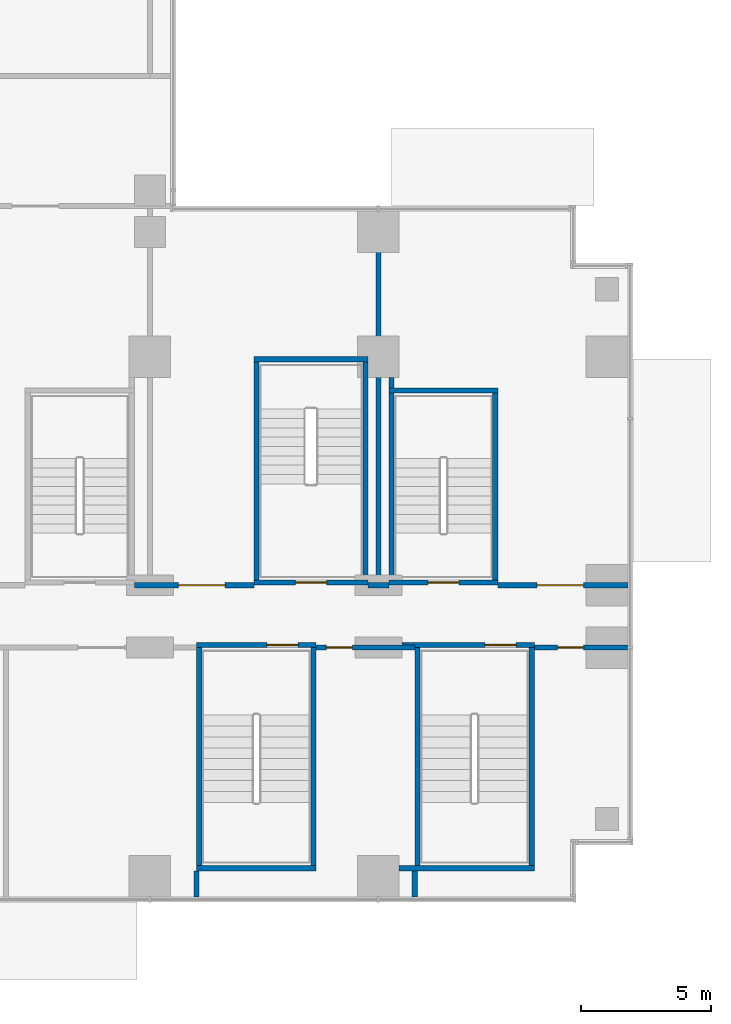
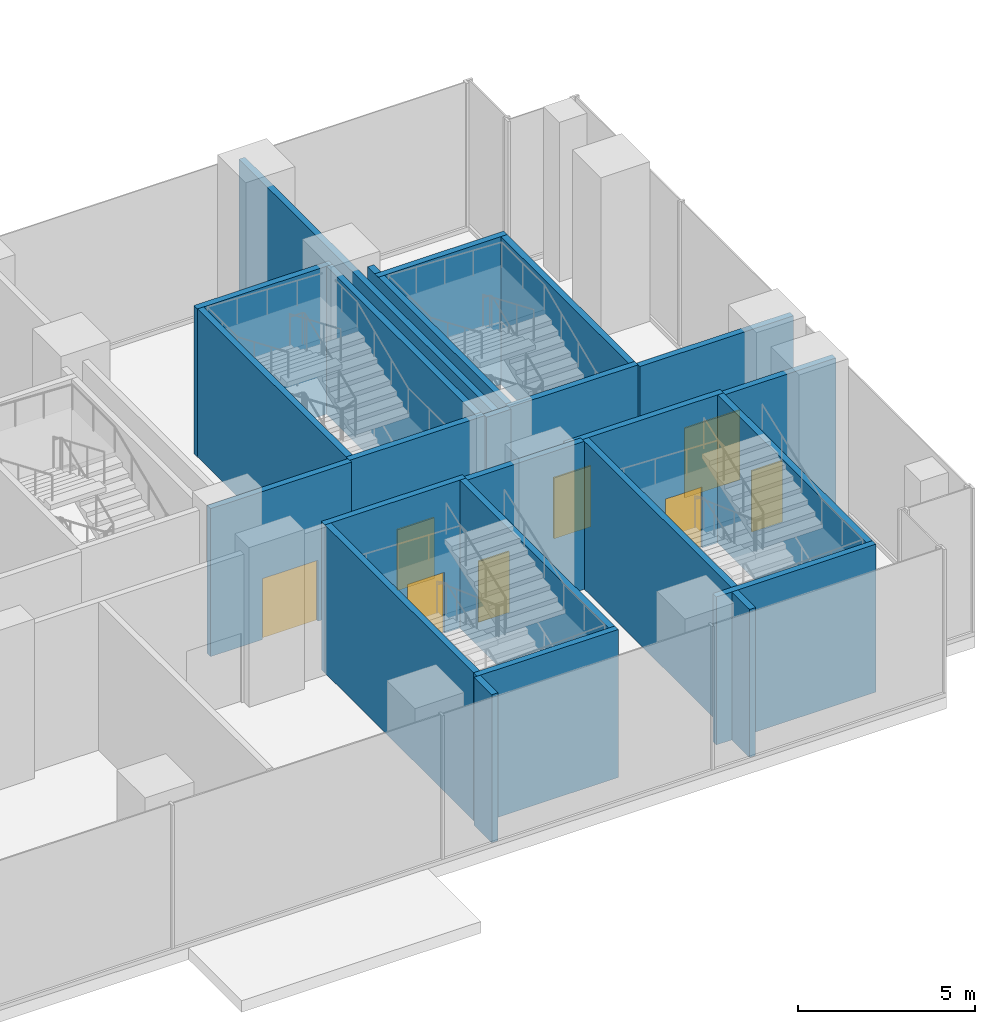
# One storey, part 21 of 30: 24 walls, 8 doors, 8 openings.
"""IFC4 building model written with IfcOpenShell, lengths in metres."""

from ifc_helpers import new_model, si_unit, direction, frame, frame_2d, origin, place, context, subcontext, project, spatial, rectangle, extrude, material, layer, layer_set, type_object, element, fill, save


model = new_model("IFC4")

# Units and contexts
model_context = context("Model", 3, precision=1e-05, world=origin(), true_north=direction((0.0, 1.0)))
body_context = subcontext(model_context, "Body", "Model", "MODEL_VIEW")
ifc_project = project(units=[si_unit("LENGTHUNIT", "METRE"), si_unit("AREAUNIT", "SQUARE_METRE"), si_unit("VOLUMEUNIT", "CUBIC_METRE"), si_unit("PLANEANGLEUNIT", "RADIAN"), si_unit("MASSUNIT", "GRAM", prefix="KILO")], contexts=[model_context])

# Site, building, storey
site_placement = place(None, origin())
site = spatial("IfcSite", under=ifc_project, at=site_placement, CompositionType="ELEMENT")
building_placement = place(site_placement, origin())
building = spatial("IfcBuilding", under=site, at=building_placement, Name="Kemantara Hotel Tower", CompositionType="ELEMENT")
storey_placement = place(building_placement, frame((0.0, 0.0, 7.5)))
storey = spatial("IfcBuildingStorey", under=building, at=storey_placement, Name="L01", CompositionType="ELEMENT", Elevation=7.5)

# Wall, opening, door
ifc_material_1 = material(Name="Concrete fc 40 MPa", Category="concrete")
ifc_layer_1 = layer(ifc_material_1, 0.199951171875)
ifc_layer_set_1 = layer_set([ifc_layer_1], Name="Concrete fc 40 MPa")
wall_type_1 = type_object("IfcWallType", Name="Concrete stair wall 200 mm", PredefinedType="SHEAR", material=ifc_layer_set_1)
wall_1_placement = place(storey_placement, frame((71.800048828125, 12.300048828125, 0.0), z_axis=(0.0, 0.0, 1.0), x_axis=(1.0, 0.0, 0.0)))
wall_1 = element("IfcWall", 1, at=wall_1_placement, inside=storey, type_object=wall_type_1, Name="Stair ST5 enclosure wall with door", PredefinedType="SHEAR", context=body_context, shape_type="SweptSolid", body=[
    extrude(rectangle(XDim=4.199951171875, YDim=0.199951171875, at=frame_2d((2.10009765625, 0.0))), origin(), (0.0, 0.0, 1.0), 5.10009765625),
])
opening_1_placement = place(wall_1_placement, frame((1.5, 0.0, 0.0)))
opening_1 = element("IfcOpeningElement", 2, at=opening_1_placement, cuts=wall_1, Name="Opening ST5-C", PredefinedType="OPENING", context=body_context, shape_type="SweptSolid", body=[
    extrude(rectangle(XDim=1.199951171875, YDim=2.10009765625, at=frame_2d((0.60009765625, 1.050048828125))), frame((0.0, 0.10986328125, 0.0), z_axis=(0.0, -1.0, 0.0), x_axis=(1.0, 0.0, 0.0)), (0.0, 0.0, 1.0), 0.219970703125),
])
ifc_material_2 = material(Name="Steel fire door", Category="steel")
door_type_1 = type_object("IfcDoorType", Name="Fire door FD90 1200 x 2100", OperationType="NOTDEFINED", PredefinedType="DOOR", material=ifc_material_2)
door_1_placement = place(opening_1_placement, origin())
door_1 = element("IfcDoor", 3, at=door_1_placement, inside=storey, type_object=door_type_1, Name="Stair ST5 door", OperationType="SINGLE_SWING_RIGHT", OverallHeight=2.10009765625, OverallWidth=1.199951171875, PredefinedType="DOOR", context=body_context, shape_type="SweptSolid", body=[
    extrude(rectangle(XDim=1.199951171875, YDim=2.10009765625, at=frame_2d((0.60009765625, 1.050048828125))), frame((0.0, 0.02490234375, 0.0), z_axis=(0.0, -1.0, 0.0), x_axis=(1.0, 0.0, 0.0)), (0.0, 0.0, 1.0), 0.050048828125),
])
fill(opening_1, door_1)

# Walls
wall_2_placement = place(storey_placement, frame((71.800048828125, 19.699951171875, 0.0), z_axis=(0.0, 0.0, 1.0), x_axis=(1.0, 0.0, 0.0)))
element("IfcWall", 4, at=wall_2_placement, inside=storey, type_object=wall_type_1, Name="Stair ST5 enclosure wall N", PredefinedType="SHEAR", context=body_context, shape_type="SweptSolid", body=[
    extrude(rectangle(XDim=4.199951171875, YDim=0.199951171875, at=frame_2d((2.10009765625, 0.0))), origin(), (0.0, 0.0, 1.0), 5.10009765625),
])
wall_3_placement = place(storey_placement, frame((71.89990234375, 12.39990234375, 0.0), z_axis=(0.0, 0.0, 1.0), x_axis=(0.0, 1.0, 0.0)))
element("IfcWall", 5, at=wall_3_placement, inside=storey, type_object=wall_type_1, Name="Stair ST5 enclosure wall W", PredefinedType="SHEAR", context=body_context, shape_type="SweptSolid", body=[
    extrude(rectangle(XDim=7.800048828125, YDim=0.199951171875, at=frame_2d((3.89990234375, 0.0))), origin(), (0.0, 0.0, 1.0), 5.10009765625),
])
wall_4_placement = place(storey_placement, frame((75.89990234375, 12.39990234375, 0.0), z_axis=(0.0, 0.0, 1.0), x_axis=(0.0, 1.0, 0.0)))
element("IfcWall", 6, at=wall_4_placement, inside=storey, type_object=wall_type_1, Name="Stair ST5 enclosure wall E", PredefinedType="SHEAR", context=body_context, shape_type="SweptSolid", body=[
    extrude(rectangle(XDim=7.2001953125, YDim=0.199951171875, at=frame_2d((3.60009765625, 0.0))), origin(), (0.0, 0.0, 1.0), 5.10009765625),
])

# Wall, opening, door
wall_5_placement = place(storey_placement, frame((66.60009765625, 12.300048828125, 0.0), z_axis=(0.0, 0.0, 1.0), x_axis=(1.0, 0.0, 0.0)))
wall_5 = element("IfcWall", 7, at=wall_5_placement, inside=storey, type_object=wall_type_1, Name="Stair PS1 enclosure wall with door", PredefinedType="SHEAR", context=body_context, shape_type="SweptSolid", body=[
    extrude(rectangle(XDim=4.39990234375, YDim=0.199951171875, at=frame_2d((2.199951171875, 0.0))), origin(), (0.0, 0.0, 1.0), 5.10009765625),
])
opening_2_placement = place(wall_5_placement, frame((1.60009765625, 0.0, 0.0)))
opening_2 = element("IfcOpeningElement", 8, at=opening_2_placement, cuts=wall_5, Name="Opening PS1-C", PredefinedType="OPENING", context=body_context, shape_type="SweptSolid", body=[
    extrude(rectangle(XDim=1.199951171875, YDim=2.10009765625, at=frame_2d((0.60009765625, 1.050048828125))), frame((0.0, 0.10986328125, 0.0), z_axis=(0.0, -1.0, 0.0), x_axis=(1.0, 0.0, 0.0)), (0.0, 0.0, 1.0), 0.219970703125),
])
door_2_placement = place(opening_2_placement, origin())
door_2 = element("IfcDoor", 9, at=door_2_placement, inside=storey, type_object=door_type_1, Name="Stair PS1 door", OperationType="SINGLE_SWING_RIGHT", OverallHeight=2.10009765625, OverallWidth=1.199951171875, PredefinedType="DOOR", context=body_context, shape_type="SweptSolid", body=[
    extrude(rectangle(XDim=1.199951171875, YDim=2.10009765625, at=frame_2d((0.60009765625, 1.050048828125))), frame((0.0, 0.02490234375, 0.0), z_axis=(0.0, -1.0, 0.0), x_axis=(1.0, 0.0, 0.0)), (0.0, 0.0, 1.0), 0.050048828125),
])
fill(opening_2, door_2)

# Walls
wall_6_placement = place(storey_placement, frame((66.60009765625, 20.89990234375, 0.0), z_axis=(0.0, 0.0, 1.0), x_axis=(1.0, 0.0, 0.0)))
element("IfcWall", 10, at=wall_6_placement, inside=storey, type_object=wall_type_1, Name="Stair PS1 enclosure wall N", PredefinedType="SHEAR", context=body_context, shape_type="SweptSolid", body=[
    extrude(rectangle(XDim=4.39990234375, YDim=0.199951171875, at=frame_2d((2.199951171875, 0.0))), origin(), (0.0, 0.0, 1.0), 5.10009765625),
])
for number, where, z_axis, x_axis, name in (
    (11, (66.699951171875, 12.39990234375, 0.0), (0.0, 0.0, 1.0), (0.0, 1.0, 0.0), "Stair PS1 enclosure wall W"),
    (12, (70.89990234375, 12.39990234375, 0.0), (0.0, 0.0, 1.0), (0.0, 1.0, 0.0), "Stair PS1 enclosure wall E"),
):
    element("IfcWall", number, at=place(storey_placement, frame(where, z_axis=z_axis, x_axis=x_axis)), inside=storey, type_object=wall_type_1, Name=name, PredefinedType="SHEAR", context=body_context, shape_type="SweptSolid", body=[
        extrude(rectangle(XDim=8.400146484375, YDim=0.199951171875, at=frame_2d((4.2001953125, 0.0))), origin(), (0.0, 0.0, 1.0), 5.10009765625),
    ])

# Wall, opening, door
wall_7_placement = place(storey_placement, frame((64.39990234375, 9.89990234375, 0.0), z_axis=(0.0, 0.0, 1.0), x_axis=(1.0, 0.0, 0.0)))
wall_7 = element("IfcWall", 13, at=wall_7_placement, inside=storey, type_object=wall_type_1, Name="Stair PS4 enclosure wall with door", PredefinedType="SHEAR", context=body_context, shape_type="SweptSolid", body=[
    extrude(rectangle(XDim=4.60009765625, YDim=0.199951171875, at=frame_2d((2.300048828125, 0.0))), origin(), (0.0, 0.0, 1.0), 5.10009765625),
])
opening_3_placement = place(wall_7_placement, frame((2.699951171875, 0.0, 0.0)))
opening_3 = element("IfcOpeningElement", 14, at=opening_3_placement, cuts=wall_7, Name="Opening PS4-C", PredefinedType="OPENING", context=body_context, shape_type="SweptSolid", body=[
    extrude(rectangle(XDim=1.199951171875, YDim=2.10009765625, at=frame_2d((0.60009765625, 1.050048828125))), frame((0.0, 0.10986328125, 0.0), z_axis=(0.0, -1.0, 0.0), x_axis=(1.0, 0.0, 0.0)), (0.0, 0.0, 1.0), 0.219970703125),
])
door_3_placement = place(opening_3_placement, frame((1.199951171875, 0.0, 0.0), z_axis=(0.0, 0.0, 1.0), x_axis=(-1.0, 0.0, 0.0)))
door_3 = element("IfcDoor", 15, at=door_3_placement, inside=storey, type_object=door_type_1, Name="Stair PS4 door", OperationType="SINGLE_SWING_LEFT", OverallHeight=2.10009765625, OverallWidth=1.199951171875, PredefinedType="DOOR", context=body_context, shape_type="SweptSolid", body=[
    extrude(rectangle(XDim=1.199951171875, YDim=2.10009765625, at=frame_2d((0.60009765625, 1.050048828125))), frame((0.0, 0.02490234375, 0.0), z_axis=(0.0, -1.0, 0.0), x_axis=(1.0, 0.0, 0.0)), (0.0, 0.0, 1.0), 0.050048828125),
])
fill(opening_3, door_3)

# Walls
wall_8_placement = place(storey_placement, frame((64.39990234375, 1.300048828125, 0.0), z_axis=(0.0, 0.0, 1.0), x_axis=(1.0, 0.0, 0.0)))
element("IfcWall", 16, at=wall_8_placement, inside=storey, type_object=wall_type_1, Name="Stair PS4 enclosure wall S", PredefinedType="SHEAR", context=body_context, shape_type="SweptSolid", body=[
    extrude(rectangle(XDim=4.60009765625, YDim=0.199951171875, at=frame_2d((2.300048828125, 0.0))), origin(), (0.0, 0.0, 1.0), 5.10009765625),
])
for number, where, z_axis, x_axis, name in (
    (17, (64.5, 1.39990234375, 0.0), (0.0, 0.0, 1.0), (0.0, 1.0, 0.0), "Stair PS4 enclosure wall W"),
    (18, (68.89990234375, 1.39990234375, 0.0), (0.0, 0.0, 1.0), (0.0, 1.0, 0.0), "Stair PS4 enclosure wall E"),
):
    element("IfcWall", number, at=place(storey_placement, frame(where, z_axis=z_axis, x_axis=x_axis)), inside=storey, type_object=wall_type_1, Name=name, PredefinedType="SHEAR", context=body_context, shape_type="SweptSolid", body=[
        extrude(rectangle(XDim=8.400146484375, YDim=0.199951171875, at=frame_2d((4.2001953125, 0.0))), origin(), (0.0, 0.0, 1.0), 5.10009765625),
    ])

# Wall, opening, door
wall_9_placement = place(storey_placement, frame((72.300048828125, 9.89990234375, 0.0), z_axis=(0.0, 0.0, 1.0), x_axis=(1.0, 0.0, 0.0)))
wall_9 = element("IfcWall", 19, at=wall_9_placement, inside=storey, type_object=wall_type_1, Name="Stair PS5 enclosure wall with door", PredefinedType="SHEAR", context=body_context, shape_type="SweptSolid", body=[
    extrude(rectangle(XDim=5.099853515625, YDim=0.199951171875, at=frame_2d((2.5498046875, 0.0))), origin(), (0.0, 0.0, 1.0), 5.10009765625),
])
opening_4_placement = place(wall_9_placement, frame((3.199951171875, 0.0, 0.0)))
opening_4 = element("IfcOpeningElement", 20, at=opening_4_placement, cuts=wall_9, Name="Opening PS5-C", PredefinedType="OPENING", context=body_context, shape_type="SweptSolid", body=[
    extrude(rectangle(XDim=1.199951171875, YDim=2.10009765625, at=frame_2d((0.60009765625, 1.050048828125))), frame((0.0, 0.10986328125, 0.0), z_axis=(0.0, -1.0, 0.0), x_axis=(1.0, 0.0, 0.0)), (0.0, 0.0, 1.0), 0.219970703125),
])
door_4_placement = place(opening_4_placement, frame((1.199951171875, 0.0, 0.0), z_axis=(0.0, 0.0, 1.0), x_axis=(-1.0, 0.0, 0.0)))
door_4 = element("IfcDoor", 21, at=door_4_placement, inside=storey, type_object=door_type_1, Name="Stair PS5 door", OperationType="SINGLE_SWING_LEFT", OverallHeight=2.10009765625, OverallWidth=1.199951171875, PredefinedType="DOOR", context=body_context, shape_type="SweptSolid", body=[
    extrude(rectangle(XDim=1.199951171875, YDim=2.10009765625, at=frame_2d((0.60009765625, 1.050048828125))), frame((0.0, 0.02490234375, 0.0), z_axis=(0.0, -1.0, 0.0), x_axis=(1.0, 0.0, 0.0)), (0.0, 0.0, 1.0), 0.050048828125),
])
fill(opening_4, door_4)

# Walls
wall_10_placement = place(storey_placement, frame((72.199951171875, 1.300048828125, 0.0), z_axis=(0.0, 0.0, 1.0), x_axis=(1.0, 0.0, 0.0)))
element("IfcWall", 22, at=wall_10_placement, inside=storey, type_object=wall_type_1, Name="Stair PS5 enclosure wall S", PredefinedType="SHEAR", context=body_context, shape_type="SweptSolid", body=[
    extrude(rectangle(XDim=5.199951171875, YDim=0.199951171875, at=frame_2d((2.60009765625, 0.0))), origin(), (0.0, 0.0, 1.0), 5.10009765625),
])
for number, where, z_axis, x_axis, name in (
    (23, (72.89990234375, 1.39990234375, 0.0), (0.0, 0.0, 1.0), (0.0, 1.0, 0.0), "Stair PS5 enclosure wall W"),
    (24, (77.300048828125, 1.39990234375, 0.0), (0.0, 0.0, 1.0), (0.0, 1.0, 0.0), "Stair PS5 enclosure wall E"),
):
    element("IfcWall", number, at=place(storey_placement, frame(where, z_axis=z_axis, x_axis=x_axis)), inside=storey, type_object=wall_type_1, Name=name, PredefinedType="SHEAR", context=body_context, shape_type="SweptSolid", body=[
        extrude(rectangle(XDim=8.400146484375, YDim=0.199951171875, at=frame_2d((4.2001953125, 0.0))), origin(), (0.0, 0.0, 1.0), 5.10009765625),
    ])

# Wall, opening, door
ifc_material_3 = material(Name="Fire-rated gypsum board partition")
ifc_layer_2 = layer(ifc_material_3, 0.199951171875)
ifc_layer_set_2 = layer_set([ifc_layer_2], Name="Fire-rated gypsum board partition")
wall_type_2 = type_object("IfcWallType", Name="FIRE-RATED GYPSUM PARTITION 200 EI 60", PredefinedType="PARTITIONING", material=ifc_layer_set_2)
wall_11_placement = place(storey_placement, frame((69.0, 9.800048828125, 0.0), z_axis=(0.0, 0.0, 1.0), x_axis=(1.0, 0.0, 0.0)))
wall_11 = element("IfcWall", 25, at=wall_11_placement, inside=storey, type_object=wall_type_2, Name="FIRE-RATED PARTITION", PredefinedType="PARTITIONING", context=body_context, shape_type="SweptSolid", body=[
    extrude(rectangle(XDim=3.800048828125, YDim=0.199951171875, at=frame_2d((1.89990234375, 0.0))), origin(), (0.0, 0.0, 1.0), 5.10009765625),
])
opening_5_placement = place(wall_11_placement, frame((0.39990234375, 0.0, 0.0)))
opening_5 = element("IfcOpeningElement", 26, at=opening_5_placement, cuts=wall_11, Name="Opening L01-B006", PredefinedType="OPENING", context=body_context, shape_type="SweptSolid", body=[
    extrude(rectangle(XDim=1.0, YDim=2.10009765625, at=frame_2d((0.5, 1.050048828125))), frame((0.0, 0.10986328125, 0.0), z_axis=(0.0, -1.0, 0.0), x_axis=(1.0, 0.0, 0.0)), (0.0, 0.0, 1.0), 0.219970703125),
])
ifc_material_4 = material(Name="Timber veneer door leaf", Category="wood")
door_type_2 = type_object("IfcDoorType", Name="SINGLE LEAF TIMBER DOOR 1000 X 2100", OperationType="SINGLE_SWING_LEFT", PredefinedType="DOOR", material=ifc_material_4)
door_5_placement = place(opening_5_placement, frame((1.0, 0.0, 0.0), z_axis=(0.0, 0.0, 1.0), x_axis=(-1.0, 0.0, 0.0)))
door_5 = element("IfcDoor", 27, at=door_5_placement, inside=storey, type_object=door_type_2, Name="SINGLE LEAF TIMBER DOOR", OperationType="SINGLE_SWING_RIGHT", OverallHeight=2.10009765625, OverallWidth=1.0, PredefinedType="DOOR", context=body_context, shape_type="SweptSolid", body=[
    extrude(rectangle(XDim=1.0, YDim=2.10009765625, at=frame_2d((0.5, 1.050048828125))), frame((0.0, 0.02490234375, 0.0), z_axis=(0.0, -1.0, 0.0), x_axis=(1.0, 0.0, 0.0)), (0.0, 0.0, 1.0), 0.050048828125),
])
fill(opening_5, door_5)

wall_12_placement = place(storey_placement, frame((77.39990234375, 9.800048828125, 0.0), z_axis=(0.0, 0.0, 1.0), x_axis=(1.0, 0.0, 0.0)))
wall_12 = element("IfcWall", 28, at=wall_12_placement, inside=storey, type_object=wall_type_2, Name="FIRE-RATED PARTITION", PredefinedType="PARTITIONING", context=body_context, shape_type="SweptSolid", body=[
    extrude(rectangle(XDim=3.60009765625, YDim=0.199951171875, at=frame_2d((1.800048828125, 0.0))), origin(), (0.0, 0.0, 1.0), 5.10009765625),
])
opening_6_placement = place(wall_12_placement, frame((0.89990234375, 0.0, 0.0)))
opening_6 = element("IfcOpeningElement", 29, at=opening_6_placement, cuts=wall_12, Name="Opening L01-B007", PredefinedType="OPENING", context=body_context, shape_type="SweptSolid", body=[
    extrude(rectangle(XDim=1.0, YDim=2.10009765625, at=frame_2d((0.5, 1.050048828125))), frame((0.0, 0.10986328125, 0.0), z_axis=(0.0, -1.0, 0.0), x_axis=(1.0, 0.0, 0.0)), (0.0, 0.0, 1.0), 0.219970703125),
])
door_6_placement = place(opening_6_placement, frame((1.0, 0.0, 0.0), z_axis=(0.0, 0.0, 1.0), x_axis=(-1.0, 0.0, 0.0)))
door_6 = element("IfcDoor", 30, at=door_6_placement, inside=storey, type_object=door_type_2, Name="SINGLE LEAF TIMBER DOOR", OperationType="SINGLE_SWING_RIGHT", OverallHeight=2.10009765625, OverallWidth=1.0, PredefinedType="DOOR", context=body_context, shape_type="SweptSolid", body=[
    extrude(rectangle(XDim=1.0, YDim=2.10009765625, at=frame_2d((0.5, 1.050048828125))), frame((0.0, 0.02490234375, 0.0), z_axis=(0.0, -1.0, 0.0), x_axis=(1.0, 0.0, 0.0)), (0.0, 0.0, 1.0), 0.050048828125),
])
fill(opening_6, door_6)

wall_13_placement = place(storey_placement, frame((62.0, 12.199951171875, 0.0), z_axis=(0.0, 0.0, 1.0), x_axis=(1.0, 0.0, 0.0)))
wall_13 = element("IfcWall", 31, at=wall_13_placement, inside=storey, type_object=wall_type_2, Name="FIRE-RATED PARTITION", PredefinedType="PARTITIONING", context=body_context, shape_type="SweptSolid", body=[
    extrude(rectangle(XDim=4.60009765625, YDim=0.199951171875, at=frame_2d((2.300048828125, 0.0))), origin(), (0.0, 0.0, 1.0), 5.10009765625),
])
opening_7_placement = place(wall_13_placement, frame((1.699951171875, 0.0, 0.0)))
opening_7 = element("IfcOpeningElement", 32, at=opening_7_placement, cuts=wall_13, Name="Opening L01-B029", PredefinedType="OPENING", context=body_context, shape_type="SweptSolid", body=[
    extrude(rectangle(XDim=1.800048828125, YDim=2.10009765625, at=frame_2d((0.89990234375, 1.050048828125))), frame((0.0, 0.10986328125, 0.0), z_axis=(0.0, -1.0, 0.0), x_axis=(1.0, 0.0, 0.0)), (0.0, 0.0, 1.0), 0.219970703125),
])
door_type_3 = type_object("IfcDoorType", Name="DOUBLE LEAF TIMBER DOOR 1800 X 2100", OperationType="DOUBLE_DOOR_SINGLE_SWING", PredefinedType="DOOR", material=ifc_material_4)
door_7_placement = place(opening_7_placement, frame((1.800048828125, 0.0, 0.0), z_axis=(0.0, 0.0, 1.0), x_axis=(-1.0, 0.0, 0.0)))
door_7 = element("IfcDoor", 33, at=door_7_placement, inside=storey, type_object=door_type_3, Name="DOUBLE LEAF TIMBER DOOR", OperationType="DOUBLE_DOOR_SINGLE_SWING", OverallHeight=2.10009765625, OverallWidth=1.800048828125, PredefinedType="DOOR", context=body_context, shape_type="SweptSolid", body=[
    extrude(rectangle(XDim=1.800048828125, YDim=2.10009765625, at=frame_2d((0.89990234375, 1.050048828125))), frame((0.0, 0.02490234375, 0.0), z_axis=(0.0, -1.0, 0.0), x_axis=(1.0, 0.0, 0.0)), (0.0, 0.0, 1.0), 0.050048828125),
])
fill(opening_7, door_7)

# Wall
wall_14_placement = place(storey_placement, frame((71.0, 12.199951171875, 0.0), z_axis=(0.0, 0.0, 1.0), x_axis=(1.0, 0.0, 0.0)))
element("IfcWall", 34, at=wall_14_placement, inside=storey, type_object=wall_type_2, Name="FIRE-RATED PARTITION", PredefinedType="PARTITIONING", context=body_context, shape_type="SweptSolid", body=[
    extrude(rectangle(XDim=0.800048828125, YDim=0.199951171875, at=frame_2d((0.39990234375, 0.0))), origin(), (0.0, 0.0, 1.0), 5.10009765625),
])

# Wall, opening, door
wall_15_placement = place(storey_placement, frame((76.0, 12.199951171875, 0.0), z_axis=(0.0, 0.0, 1.0), x_axis=(1.0, 0.0, 0.0)))
wall_15 = element("IfcWall", 35, at=wall_15_placement, inside=storey, type_object=wall_type_2, Name="FIRE-RATED PARTITION", PredefinedType="PARTITIONING", context=body_context, shape_type="SweptSolid", body=[
    extrude(rectangle(XDim=5.0, YDim=0.199951171875, at=frame_2d((2.5, 0.0))), origin(), (0.0, 0.0, 1.0), 5.10009765625),
])
opening_8_placement = place(wall_15_placement, frame((1.5, 0.0, 0.0)))
opening_8 = element("IfcOpeningElement", 36, at=opening_8_placement, cuts=wall_15, Name="Opening L01-B030", PredefinedType="OPENING", context=body_context, shape_type="SweptSolid", body=[
    extrude(rectangle(XDim=1.800048828125, YDim=2.39990234375, at=frame_2d((0.89990234375, 1.199951171875))), frame((0.0, 0.10986328125, 0.0), z_axis=(0.0, -1.0, 0.0), x_axis=(1.0, 0.0, 0.0)), (0.0, 0.0, 1.0), 0.219970703125),
])
ifc_material_5 = material(Name="Toughened glass door leaf", Category="glass")
door_type_4 = type_object("IfcDoorType", Name="GLAZED DOUBLE DOOR 1800 X 2400", OperationType="DOUBLE_DOOR_SINGLE_SWING", PredefinedType="DOOR", material=ifc_material_5)
door_8_placement = place(opening_8_placement, frame((1.800048828125, 0.0, 0.0), z_axis=(0.0, 0.0, 1.0), x_axis=(-1.0, 0.0, 0.0)))
door_8 = element("IfcDoor", 37, at=door_8_placement, inside=storey, type_object=door_type_4, Name="GLAZED DOUBLE DOOR", OperationType="DOUBLE_DOOR_SINGLE_SWING", OverallHeight=2.39990234375, OverallWidth=1.800048828125, PredefinedType="DOOR", context=body_context, shape_type="SweptSolid", body=[
    extrude(rectangle(XDim=1.800048828125, YDim=2.39990234375, at=frame_2d((0.89990234375, 1.199951171875))), frame((0.0, 0.02490234375, 0.0), z_axis=(0.0, -1.0, 0.0), x_axis=(1.0, 0.0, 0.0)), (0.0, 0.0, 1.0), 0.050048828125),
])
fill(opening_8, door_8)

# Walls
ifc_material_6 = material(Name="Gypsum board partition")
ifc_layer_3 = layer(ifc_material_6, 0.199951171875)
ifc_layer_set_3 = layer_set([ifc_layer_3], Name="Gypsum board partition")
wall_type_3 = type_object("IfcWallType", Name="GYPSUM BOARD PARTITION 200", PredefinedType="PARTITIONING", material=ifc_layer_set_3)
for number, where, z_axis, x_axis, name in (
    (38, (64.39990234375, 0.199951171875, 0.0), (0.0, 0.0, 1.0), (0.0, 1.0, 0.0), "PARTITION"),
    (39, (72.800048828125, 0.199951171875, 0.0), (0.0, 0.0, 1.0), (0.0, 1.0, 0.0), "PARTITION"),
):
    element("IfcWall", number, at=place(storey_placement, frame(where, z_axis=z_axis, x_axis=x_axis)), inside=storey, type_object=wall_type_3, Name=name, PredefinedType="PARTITIONING", context=body_context, shape_type="SweptSolid", body=[
        extrude(rectangle(XDim=1.0, YDim=0.199951171875, at=frame_2d((0.5, 0.0))), origin(), (0.0, 0.0, 1.0), 5.10009765625),
    ])
wall_16_placement = place(storey_placement, frame((71.39990234375, 12.300048828125, 0.0), z_axis=(0.0, 0.0, 1.0), x_axis=(0.0, 1.0, 0.0)))
element("IfcWall", 40, at=wall_16_placement, inside=storey, type_object=wall_type_3, Name="PARTITION", PredefinedType="PARTITIONING", context=body_context, shape_type="SweptSolid", body=[
    extrude(rectangle(XDim=14.300048828125, YDim=0.199951171875, at=frame_2d((7.14990234375, 0.0))), origin(), (0.0, 0.0, 1.0), 5.10009765625),
])

save(model, "model.ifc")
